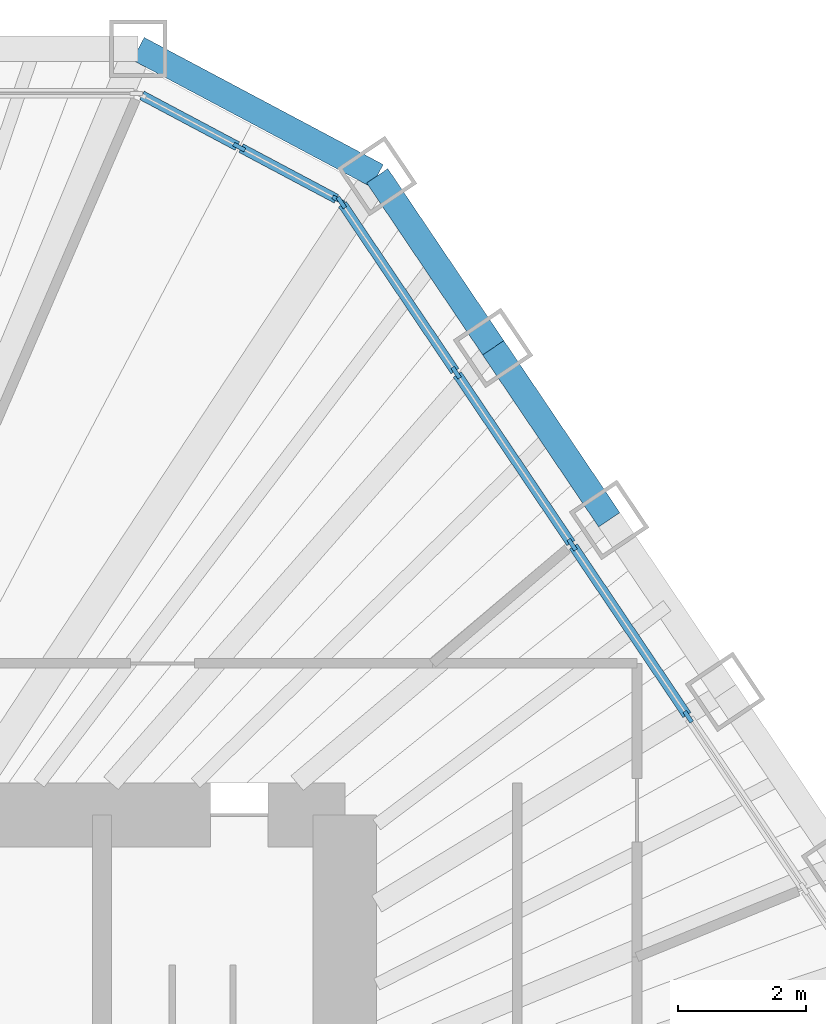
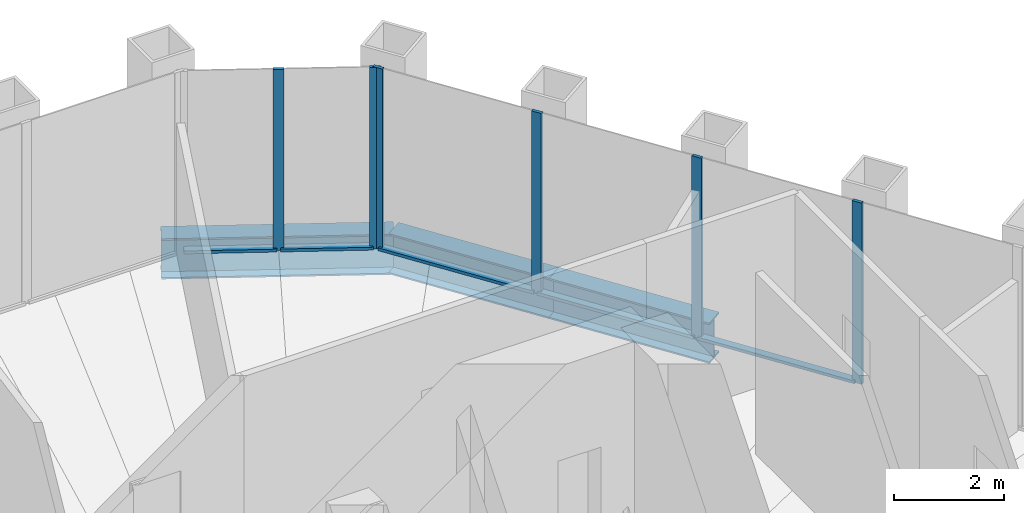
# One storey, part 8 of 14: 11 members, 3 beams, 2 elements without a shape of their own.
"""IFC4 building model written with IfcOpenShell, lengths in metres."""

from ifc_helpers import new_model, si_unit, direction, frame, origin, origin_2d, place, context, subcontext, project, spatial, rectangle, i_section, extrude, material, material_profile, profile_set, type_object, element, aggregate, save


model = new_model("IFC4")

# Units and contexts
model_context = context("Model", 3, precision=1e-05, world=origin(), true_north=direction((0.0, 1.0)))
body_context = subcontext(model_context, "Body", "Model", "MODEL_VIEW")
ifc_project = project(units=[si_unit("LENGTHUNIT", "METRE"), si_unit("AREAUNIT", "SQUARE_METRE"), si_unit("VOLUMEUNIT", "CUBIC_METRE"), si_unit("PLANEANGLEUNIT", "RADIAN"), si_unit("MASSUNIT", "GRAM", prefix="KILO")], contexts=[model_context])

# Site, building, storey
site_placement = place(None, origin())
site = spatial("IfcSite", under=ifc_project, at=site_placement, CompositionType="ELEMENT")
building_placement = place(site_placement, origin())
building = spatial("IfcBuilding", under=site, at=building_placement, Name="Qingtian Harvest Tower", CompositionType="ELEMENT")
storey_placement = place(building_placement, frame((0.0, 0.0, 283.0)))
storey = spatial("IfcBuildingStorey", under=building, at=storey_placement, Name="L62", CompositionType="ELEMENT", Elevation=283.0)

# Curtain wall, members
ifc_material_1 = material(Name="Bronze-anodised aluminium curtain wall", Category="aluminium")
curtain_wall_type = type_object("IfcCurtainWallType", Name="Curtain wall CW5 upper office", PredefinedType="USERDEFINED", material=ifc_material_1)
curtain_wall_1_placement = place(storey_placement, origin())
curtain_wall_1 = element("IfcCurtainWall", 1, at=curtain_wall_1_placement, inside=storey, type_object=curtain_wall_type, Name="Curtain wall CW5 L62 NC", ObjectType="RECESSED CURTAIN WALL", PredefinedType="USERDEFINED")
ifc_material_2 = material(Name="Bronze-anodised aluminium mullion", Category="aluminium")
ifc_material_profile_1 = material_profile(ifc_material_2, rectangle(XDim=0.06494140625, YDim=0.199951171875, at=origin_2d()), Name="AL 65x200")
ifc_profile_set_1 = profile_set([ifc_material_profile_1], Name="Bronze-anodised aluminium mullion")
member_type_1 = type_object("IfcMemberType", Name="Mullion CWM 65x200", PredefinedType="MULLION", material=ifc_profile_set_1)
member_1_placement = place(storey_placement, frame((10.3466796875, 19.45947265625, 0.0), z_axis=(0.0, 0.0, 1.0), x_axis=(0.469471562786, 0.882947592859, 0.0)))
member_1 = element("IfcMember", 2, at=member_1_placement, type_object=member_type_1, Name="CW5 mullion 2", PredefinedType="MULLION", context=body_context, shape_type="SweptSolid", body=[
    extrude(rectangle(XDim=0.06494140625, YDim=0.199951171875, at=origin_2d()), origin(), (0.0, 0.0, 1.0), 4.030029296875),
])
member_2_placement = place(storey_placement, frame((11.89892578125, 18.634033203125, 0.0), z_axis=(0.0, 0.0, 1.0), x_axis=(0.469471562786, 0.882947592859, 0.0)))
member_2 = element("IfcMember", 3, at=member_2_placement, type_object=member_type_1, Name="CW5 mullion 3", PredefinedType="MULLION", context=body_context, shape_type="SweptSolid", body=[
    extrude(rectangle(XDim=0.06494140625, YDim=0.199951171875, at=origin_2d()), origin(), (0.0, 0.0, 1.0), 4.030029296875),
])

curtain_wall_2_placement = place(storey_placement, origin())
curtain_wall_2 = element("IfcCurtainWall", 4, at=curtain_wall_2_placement, inside=storey, type_object=curtain_wall_type, Name="Curtain wall CW5 L62 NE0-5", ObjectType="RECESSED CURTAIN WALL", PredefinedType="USERDEFINED")
member_3_placement = place(storey_placement, frame((11.94580078125, 18.592041015625, 0.0), z_axis=(0.0, 0.0, 1.0), x_axis=(0.829037572555, 0.559192903471, 0.0)))
member_3 = element("IfcMember", 5, at=member_3_placement, type_object=member_type_1, Name="CW5 mullion 1", PredefinedType="MULLION", context=body_context, shape_type="SweptSolid", body=[
    extrude(rectangle(XDim=0.06494140625, YDim=0.199951171875, at=origin_2d()), origin(), (0.0, 0.0, 1.0), 4.030029296875),
])
member_4_placement = place(storey_placement, frame((13.743896484375, 15.926025390625, 0.0), z_axis=(0.0, 0.0, 1.0), x_axis=(0.829037572555, 0.559192903471, 0.0)))
member_4 = element("IfcMember", 6, at=member_4_placement, type_object=member_type_1, Name="CW5 mullion 2", PredefinedType="MULLION", context=body_context, shape_type="SweptSolid", body=[
    extrude(rectangle(XDim=0.06494140625, YDim=0.199951171875, at=origin_2d()), origin(), (0.0, 0.0, 1.0), 4.030029296875),
])
member_5_placement = place(storey_placement, frame((15.56005859375, 13.2333984375, 0.0), z_axis=(0.0, 0.0, 1.0), x_axis=(0.829037572555, 0.559192903471, 0.0)))
member_5 = element("IfcMember", 7, at=member_5_placement, type_object=member_type_1, Name="CW5 mullion 3", PredefinedType="MULLION", context=body_context, shape_type="SweptSolid", body=[
    extrude(rectangle(XDim=0.06494140625, YDim=0.199951171875, at=origin_2d()), origin(), (0.0, 0.0, 1.0), 4.030029296875),
])
member_6_placement = place(storey_placement, frame((17.37646484375, 10.540771484375, 0.0), z_axis=(0.0, 0.0, 1.0), x_axis=(0.829037572555, 0.559192903471, 0.0)))
member_6 = element("IfcMember", 8, at=member_6_placement, type_object=member_type_1, Name="CW5 mullion 4", PredefinedType="MULLION", context=body_context, shape_type="SweptSolid", body=[
    extrude(rectangle(XDim=0.06494140625, YDim=0.199951171875, at=origin_2d()), origin(), (0.0, 0.0, 1.0), 4.030029296875),
])

# Beams
ifc_material_3 = material(Name="Steel SN490B", Category="steel")
ifc_material_profile_2 = material_profile(ifc_material_3, i_section(OverallWidth=0.39990234375, OverallDepth=0.89990234375, WebThickness=0.01904296875, FlangeThickness=0.035888671875, at=origin_2d()), Name="H900x400x19x36")
ifc_profile_set_2 = profile_set([ifc_material_profile_2], Name="Steel SN490B")
beam_type = type_object("IfcBeamType", Name="Spandrel beam SB4 H900x400x19x36", PredefinedType="SPANDREL", material=ifc_profile_set_2)
beam_1_placement = place(storey_placement, frame((8.765869140625, 21.0, -0.449951171875), z_axis=(0.882948599748, -0.469469669099, 0.0), x_axis=(0.469469669099, 0.882948599748, 0.0)))
element("IfcBeam", 9, at=beam_1_placement, inside=storey, type_object=beam_type, Name="Spandrel SB4 NC", PredefinedType="SPANDREL", context=body_context, shape_type="SweptSolid", body=[
    extrude(i_section(OverallWidth=0.39990234375, OverallDepth=0.89990234375, WebThickness=0.01904296875, FlangeThickness=0.035888671875, at=origin_2d()), origin(), (0.0, 0.0, 1.0), 4.23828125),
])
beam_2_placement = place(storey_placement, frame((12.508056640625, 19.01025390625, -0.449951171875), z_axis=(0.559184924833, -0.829042954158, 0.0), x_axis=(0.829042954158, 0.559184924833, 0.0)))
element("IfcBeam", 10, at=beam_2_placement, inside=storey, type_object=beam_type, Name="Spandrel SB4 NE0", PredefinedType="SPANDREL", context=body_context, shape_type="SweptSolid", body=[
    extrude(i_section(OverallWidth=0.39990234375, OverallDepth=0.89990234375, WebThickness=0.01904296875, FlangeThickness=0.035888671875, at=origin_2d()), origin(), (0.0, 0.0, 1.0), 3.247802734375),
])
beam_3_placement = place(storey_placement, frame((14.32421875, 16.317626953125, -0.449951171875), z_axis=(0.559201740147, -0.829031612073, 0.0), x_axis=(0.829031612073, 0.559201740147, 0.0)))
element("IfcBeam", 11, at=beam_3_placement, inside=storey, type_object=beam_type, Name="Spandrel SB4 NE1", PredefinedType="SPANDREL", context=body_context, shape_type="SweptSolid", body=[
    extrude(i_section(OverallWidth=0.39990234375, OverallDepth=0.89990234375, WebThickness=0.01904296875, FlangeThickness=0.035888671875, at=origin_2d()), origin(), (0.0, 0.0, 1.0), 3.248291015625),
])

# Member
ifc_material_4 = material(Name="Bronze-anodised aluminium transom", Category="aluminium")
ifc_material_profile_3 = material_profile(ifc_material_4, rectangle(XDim=0.14990234375, YDim=0.06494140625, at=origin_2d()), Name="AL 65x150")
ifc_profile_set_3 = profile_set([ifc_material_profile_3], Name="Bronze-anodised aluminium transom")
member_type_2 = type_object("IfcMemberType", Name="Transom CWT 65x150", PredefinedType="USERDEFINED", material=ifc_profile_set_3)
member_7_placement = place(storey_placement, frame((8.8232421875, 20.26953125, 0.032470703125), z_axis=(0.882927080927, -0.469510138086, 0.0), x_axis=(0.469510138086, 0.882927080927, 0.0)))
member_7 = element("IfcMember", 12, at=member_7_placement, type_object=member_type_2, Name="CW5 transom 1.1", ObjectType="TRANSOM", PredefinedType="USERDEFINED", context=body_context, shape_type="SweptSolid", body=[
    extrude(rectangle(XDim=0.14990234375, YDim=0.06494140625, at=origin_2d()), origin(), (0.0, 0.0, 1.0), 1.693115234375),
])

member_8_placement = place(storey_placement, frame((10.37548828125, 19.444091796875, 0.032470703125), z_axis=(0.882986854304, -0.469397715297, 0.0), x_axis=(0.469397715297, 0.882986854304, 0.0)))
member_8 = element("IfcMember", 13, at=member_8_placement, type_object=member_type_2, Name="CW5 transom 2.1", ObjectType="TRANSOM", PredefinedType="USERDEFINED", context=body_context, shape_type="SweptSolid", body=[
    extrude(rectangle(XDim=0.14990234375, YDim=0.06494140625, at=origin_2d()), origin(), (0.0, 0.0, 1.0), 1.69287109375),
])

aggregate(curtain_wall_1, [member_1, member_2, member_7, member_8])

member_9_placement = place(storey_placement, frame((11.9638671875, 18.56494140625, 0.032470703125), z_axis=(0.559251907839, -0.828997770551, 0.0), x_axis=(0.828997770551, 0.559251907839, 0.0)))
member_9 = element("IfcMember", 14, at=member_9_placement, type_object=member_type_2, Name="CW5 transom 1.1", ObjectType="TRANSOM", PredefinedType="USERDEFINED", context=body_context, shape_type="SweptSolid", body=[
    extrude(rectangle(XDim=0.14990234375, YDim=0.06494140625, at=origin_2d()), origin(), (0.0, 0.0, 1.0), 3.150634765625),
])

member_10_placement = place(storey_placement, frame((13.761962890625, 15.899169921875, 0.032470703125), z_axis=(0.55920542009, -0.829029129852, 0.0), x_axis=(0.829029129852, 0.55920542009, 0.0)))
member_10 = element("IfcMember", 15, at=member_10_placement, type_object=member_type_2, Name="CW5 transom 2.1", ObjectType="TRANSOM", PredefinedType="USERDEFINED", context=body_context, shape_type="SweptSolid", body=[
    extrude(rectangle(XDim=0.14990234375, YDim=0.06494140625, at=origin_2d()), origin(), (0.0, 0.0, 1.0), 3.18310546875),
])

member_11_placement = place(storey_placement, frame((15.578369140625, 13.20654296875, 0.032470703125), z_axis=(0.55920542009, -0.829029129852, 0.0), x_axis=(0.829029129852, 0.55920542009, 0.0)))
member_11 = element("IfcMember", 16, at=member_11_placement, type_object=member_type_2, Name="CW5 transom 3.1", ObjectType="TRANSOM", PredefinedType="USERDEFINED", context=body_context, shape_type="SweptSolid", body=[
    extrude(rectangle(XDim=0.14990234375, YDim=0.06494140625, at=origin_2d()), origin(), (0.0, 0.0, 1.0), 3.18310546875),
])

aggregate(curtain_wall_2, [member_3, member_4, member_5, member_6, member_9, member_10, member_11])

save(model, "model.ifc")
